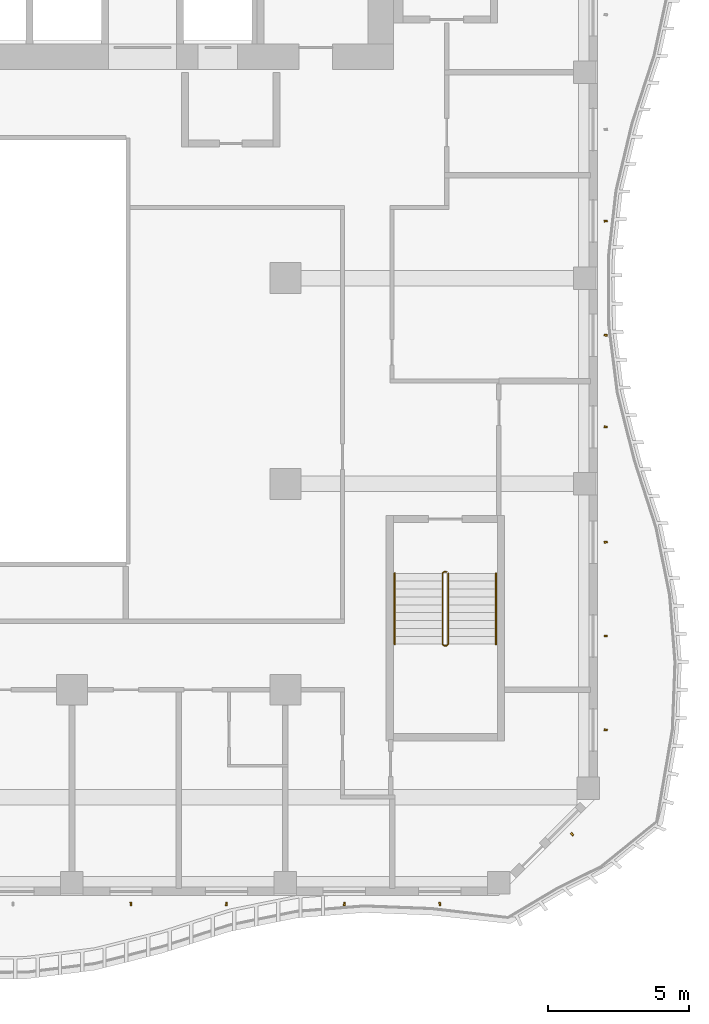
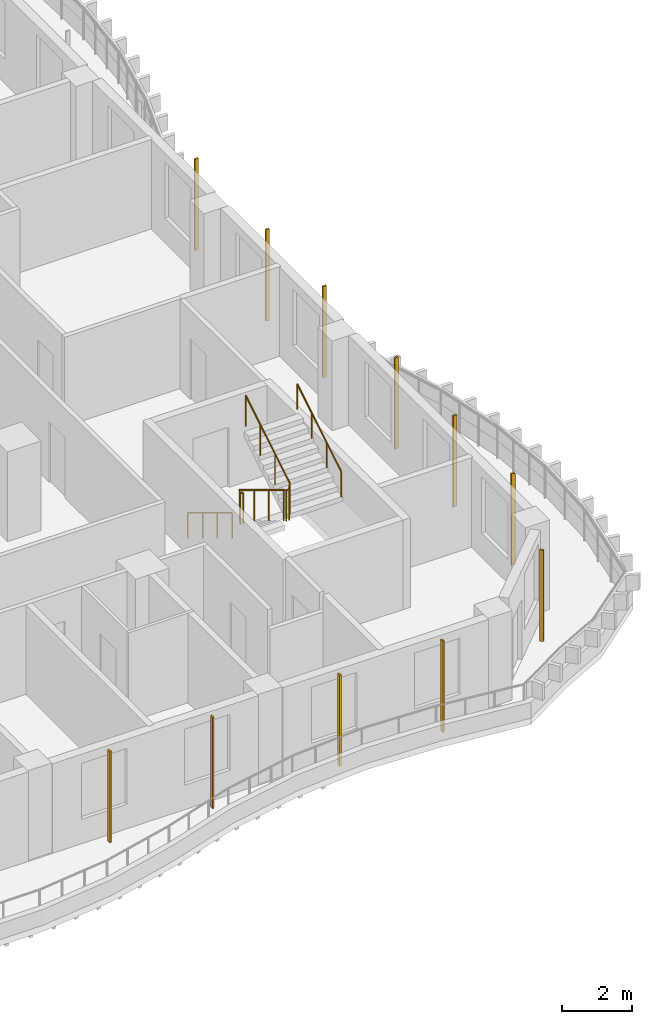
# One storey, part 17 of 21: 11 shading devices, 3 railings.
"""IFC4 building model written with IfcOpenShell, lengths in metres."""

from ifc_helpers import new_model, si_unit, direction, frame, origin, origin_2d, place, context, subcontext, project, spatial, rectangle, circle, extrude, source, transform, mapped, material, material_profile, profile_set, type_object, element, save


model = new_model("IFC4")

# Units and contexts
model_context = context("Model", 3, precision=1e-05, world=origin(), true_north=direction((0.0, 1.0)))
body_context = subcontext(model_context, "Body", "Model", "MODEL_VIEW")
ifc_project = project(units=[si_unit("LENGTHUNIT", "METRE"), si_unit("AREAUNIT", "SQUARE_METRE"), si_unit("VOLUMEUNIT", "CUBIC_METRE"), si_unit("PLANEANGLEUNIT", "RADIAN"), si_unit("MASSUNIT", "GRAM", prefix="KILO")], contexts=[model_context])

# Site, building, storey
site_placement = place(None, origin())
site = spatial("IfcSite", under=ifc_project, at=site_placement, CompositionType="ELEMENT")
building_placement = place(site_placement, origin())
building = spatial("IfcBuilding", under=site, at=building_placement, Name="Kilnfold Tower and Market Hall", CompositionType="ELEMENT")
storey_placement = place(building_placement, frame((0.0, 0.0, 147.300048828125)))
storey = spatial("IfcBuildingStorey", under=building, at=storey_placement, Name="L33", CompositionType="ELEMENT", Elevation=147.300048828125)

# Railings
ifc_material_1 = material(Name="Stainless steel 316", Category="steel")
railing_type_1 = type_object("IfcRailingType", Name="CORE STAIR GUARD 1100", PredefinedType="GUARDRAIL", material=ifc_material_1)
railing_1_placement = place(storey_placement, frame((19.89990234375, -9.75, 0.0)))
element("IfcRailing", 1, at=railing_1_placement, inside=storey, type_object=railing_type_1, Name="L33 ST4 stair guard 1", PredefinedType="GUARDRAIL", context=body_context, shape_type="SweptSolid", body=[
    extrude(circle(Radius=0.02392578125, at=origin_2d()), frame((0.0, 0.0, 1.076171875), z_axis=(-1.0, 0.0, 0.0), x_axis=(0.0, -1.0, 0.0)), (0.0, 0.0, 1.0), 0.099853515625),
    extrude(circle(Radius=0.02392578125, at=origin_2d()), frame((-0.099853515625, 0.0, 1.076171875), z_axis=(-0.271895245746, -0.271895245746, 0.923117517265), x_axis=(0.707106781187, -0.707106781187, 0.0)), (0.0, 0.0, 1.0), 0.18408203125),
    extrude(circle(Radius=0.02392578125, at=origin_2d()), frame((-0.14990234375, -0.050048828125, 1.24609375), z_axis=(0.0, -0.85478489116, 0.518982456201), x_axis=(1.0, 0.0, 0.0)), (0.0, 0.0, 1.0), 2.9482421875),
    extrude(circle(Radius=0.02392578125, at=origin_2d()), frame((-0.14990234375, -2.570068359375, 2.77587890625), z_axis=(0.707106781187, -0.707106781187, 0.0), x_axis=(0.707106781187, 0.707106781187, 0.0)), (0.0, 0.0, 1.0), 0.07080078125),
    extrude(circle(Radius=0.02392578125, at=origin_2d()), frame((-0.099853515625, -2.6201171875, 2.77587890625), z_axis=(1.0, 0.0, 0.0), x_axis=(0.0, 1.0, 0.0)), (0.0, 0.0, 1.0), 0.099853515625),
    extrude(circle(Radius=0.02392578125, at=origin_2d()), frame((0.0, -2.6201171875, 2.77587890625), z_axis=(0.271895245746, 0.271895245746, 0.923117517265), x_axis=(-0.707106781187, 0.707106781187, 0.0)), (0.0, 0.0, 1.0), 0.18408203125),
    extrude(circle(Radius=0.02392578125, at=origin_2d()), frame((0.050048828125, -2.570068359375, 2.94580078125), z_axis=(0.0, 0.85478489116, 0.518982456201), x_axis=(-1.0, 0.0, 0.0)), (0.0, 0.0, 1.0), 2.9482421875),
    extrude(circle(Radius=0.02099609375, at=origin_2d()), origin(), (0.0, 0.0, 1.0), 1.052001953125),
    extrude(circle(Radius=0.02099609375, at=origin_2d()), frame((-0.099853515625, 0.0, 0.0)), (0.0, 0.0, 1.0), 1.052001953125),
    extrude(circle(Radius=0.02099609375, at=origin_2d()), frame((-0.14990234375, -0.050048828125, 0.169921875)), (0.0, 0.0, 1.0), 1.052001953125),
    extrude(circle(Radius=0.02099609375, at=origin_2d()), frame((-0.14990234375, -0.89013671875, 0.679931640625)), (0.0, 0.0, 1.0), 1.052001953125),
    extrude(circle(Radius=0.02099609375, at=origin_2d()), frame((-0.14990234375, -1.72998046875, 1.18994140625)), (0.0, 0.0, 1.0), 1.052001953125),
    extrude(circle(Radius=0.02099609375, at=origin_2d()), frame((-0.14990234375, -2.570068359375, 1.699951171875)), (0.0, 0.0, 1.0), 1.052001953125),
    extrude(circle(Radius=0.02099609375, at=origin_2d()), frame((-0.099853515625, -2.6201171875, 1.699951171875)), (0.0, 0.0, 1.0), 1.052001953125),
    extrude(circle(Radius=0.02099609375, at=origin_2d()), frame((0.0, -2.6201171875, 1.699951171875)), (0.0, 0.0, 1.0), 1.052001953125),
    extrude(circle(Radius=0.02099609375, at=origin_2d()), frame((0.050048828125, -2.570068359375, 1.869873046875)), (0.0, 0.0, 1.0), 1.052001953125),
    extrude(circle(Radius=0.02099609375, at=origin_2d()), frame((0.050048828125, -1.72998046875, 2.3798828125)), (0.0, 0.0, 1.0), 1.052001953125),
    extrude(circle(Radius=0.02099609375, at=origin_2d()), frame((0.050048828125, -0.89013671875, 2.889892578125)), (0.0, 0.0, 1.0), 1.052001953125),
    extrude(circle(Radius=0.02099609375, at=origin_2d()), frame((0.050048828125, -0.050048828125, 3.39990234375)), (0.0, 0.0, 1.0), 1.052001953125),
])
ifc_material_2 = material(Name="Stainless steel 316", Category="steel")
railing_type_2 = type_object("IfcRailingType", Name="CORE STAIR HANDRAIL 900", PredefinedType="HANDRAIL", material=ifc_material_2)
railing_2_placement = place(storey_placement, frame((18.050048828125, -9.800048828125, 0.169921875)))
element("IfcRailing", 2, at=railing_2_placement, inside=storey, type_object=railing_type_2, Name="L33 ST4 stair handrail 1", PredefinedType="HANDRAIL", context=body_context, shape_type="SweptSolid", body=[
    extrude(circle(Radius=0.02392578125, at=origin_2d()), frame((0.0, 0.0, 0.8759765625), z_axis=(0.0, -0.85478489116, 0.518982456201), x_axis=(1.0, 0.0, 0.0)), (0.0, 0.0, 1.0), 2.9482421875),
    extrude(circle(Radius=0.02099609375, at=origin_2d()), origin(), (0.0, 0.0, 1.0), 0.851806640625),
    extrude(circle(Radius=0.02099609375, at=origin_2d()), frame((0.0, -0.840087890625, 0.510009765625)), (0.0, 0.0, 1.0), 0.851806640625),
    extrude(circle(Radius=0.02099609375, at=origin_2d()), frame((0.0, -1.679931640625, 1.02001953125)), (0.0, 0.0, 1.0), 0.851806640625),
    extrude(circle(Radius=0.02099609375, at=origin_2d()), frame((0.0, -2.52001953125, 1.530029296875)), (0.0, 0.0, 1.0), 0.851806640625),
])
railing_3_placement = place(storey_placement, frame((21.64990234375, -12.320068359375, 1.869873046875)))
element("IfcRailing", 3, at=railing_3_placement, inside=storey, type_object=railing_type_2, Name="L33 ST4 stair handrail 2", PredefinedType="HANDRAIL", context=body_context, shape_type="SweptSolid", body=[
    extrude(circle(Radius=0.02392578125, at=origin_2d()), frame((0.0, 0.0, 0.8759765625), z_axis=(0.0, 0.85478489116, 0.518982456201), x_axis=(-1.0, 0.0, 0.0)), (0.0, 0.0, 1.0), 2.9482421875),
    extrude(circle(Radius=0.02099609375, at=origin_2d()), origin(), (0.0, 0.0, 1.0), 0.851806640625),
    extrude(circle(Radius=0.02099609375, at=origin_2d()), frame((0.0, 0.840087890625, 0.510009765625)), (0.0, 0.0, 1.0), 0.851806640625),
    extrude(circle(Radius=0.02099609375, at=origin_2d()), frame((0.0, 1.679931640625, 1.02001953125)), (0.0, 0.0, 1.0), 0.851806640625),
    extrude(circle(Radius=0.02099609375, at=origin_2d()), frame((0.0, 2.52001953125, 1.530029296875)), (0.0, 0.0, 1.0), 0.851806640625),
])

# Shading devices
ifc_material_3 = material(Name="Terracotta", Category="masonry")
ifc_material_profile = material_profile(ifc_material_3, rectangle(XDim=0.06005859375, YDim=0.1201171875, at=origin_2d()), Name="BAG 60x120")
ifc_profile_set = profile_set([ifc_material_profile], Name="Terracotta")
shading_device_type = type_object("IfcShadingDeviceType", Name="BAGUETTE", PredefinedType="USERDEFINED", material=ifc_profile_set)
shared_shape = source(origin(), body_context, "Body", "SweptSolid", [
    extrude(rectangle(XDim=0.06005859375, YDim=0.1201171875, at=origin_2d()), origin(), (0.0, 0.0, 1.0), 3.179931640625),
])
for number, where, z_axis, x_axis, name in (
    (4, (8.67919921875, -21.550048828125, 0.0), (0.0, 0.0, 1.0), (0.994908010783, 0.100787152356, 0.0), "Terracotta baguette L33 S"),
    (5, (12.07080078125, -21.550048828125, 0.0), (0.0, 0.0, 1.0), (0.995822954359, -0.091305222041, 0.0), "Terracotta baguette L33 S"),
    (6, (16.262451171875, -21.550048828125, 0.0), (0.0, 0.0, 1.0), (0.997369161007, -0.072489700457, 0.0), "Terracotta baguette L33 S"),
    (7, (19.654296875, -21.550048828125, 0.0), (0.0, 0.0, 1.0), (0.993322520247, 0.115370580174, 0.0), "Terracotta baguette L33 S"),
    (8, (24.35498046875, -19.0693359375, 0.0), (0.0, 0.0, 1.0), (0.735082645469, 0.677977510195, 0.0), "Terracotta baguette L33 SE"),
    (9, (25.550048828125, -15.364013671875, 0.0), (0.0, 0.0, 1.0), (0.122475632571, 0.992471520713, 0.0), "Terracotta baguette L33 E"),
    (10, (25.550048828125, -12.0283203125, 0.0), (0.0, 0.0, 1.0), (-0.057219021364, 0.998361649701, 0.0), "Terracotta baguette L33 E"),
    (11, (25.550048828125, -8.69287109375, 0.0), (0.0, 0.0, 1.0), (-0.130848039312, 0.991402436253, 0.0), "Terracotta baguette L33 E"),
    (12, (25.550048828125, -4.596923828125, 0.0), (0.0, 0.0, 1.0), (0.080600790194, 0.99674646356, 0.0), "Terracotta baguette L33 E"),
    (13, (25.550048828125, -1.3408203125, 0.0), (0.0, 0.0, 1.0), (0.121777529933, 0.992557420608, 0.0), "Terracotta baguette L33 E"),
    (14, (25.550048828125, 2.7158203125, 0.0), (0.0, 0.0, 1.0), (-0.095680708264, 0.995412076512, 0.0), "Terracotta baguette L33 E"),
):
    element("IfcShadingDevice", number, at=place(storey_placement, frame(where, z_axis=z_axis, x_axis=x_axis)), inside=storey, type_object=shading_device_type, Name=name, ObjectType="BAGUETTE", PredefinedType="USERDEFINED", context=body_context, shape_type="MappedRepresentation", body=[
        mapped(shared_shape, transform((0.0, 0.0, 0.0))),
    ])

save(model, "model.ifc")
